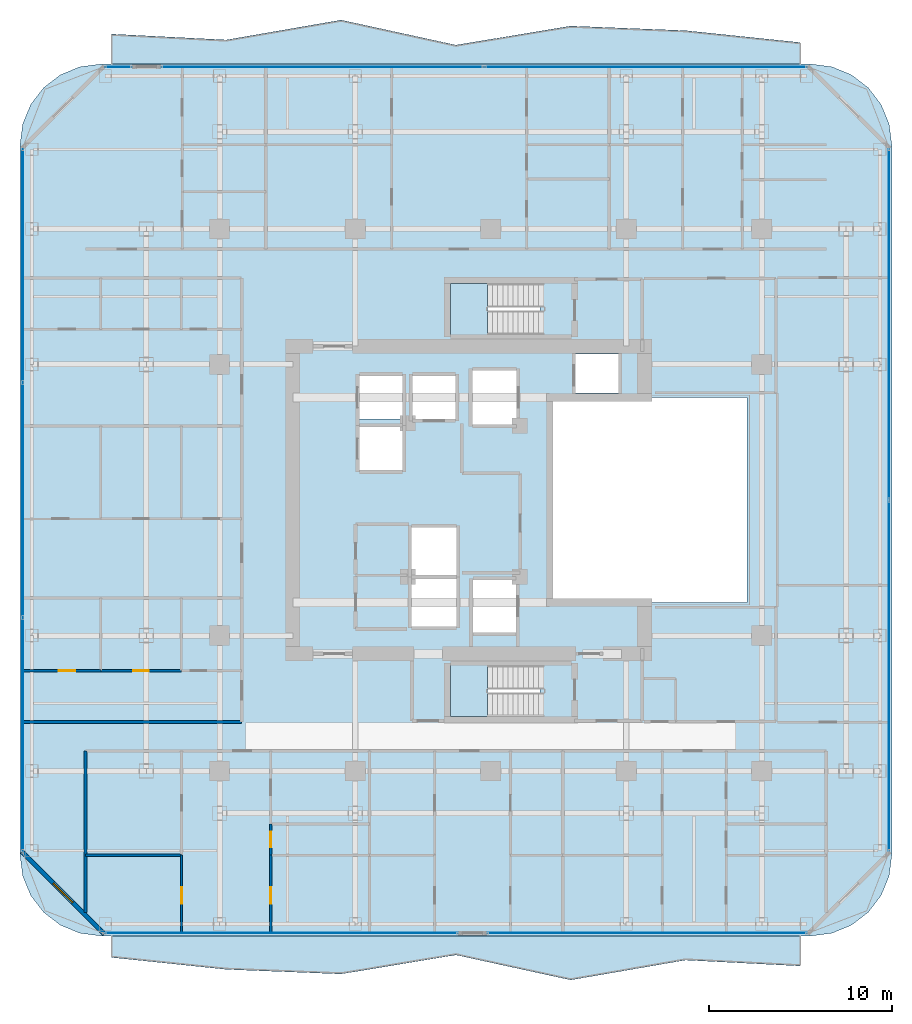
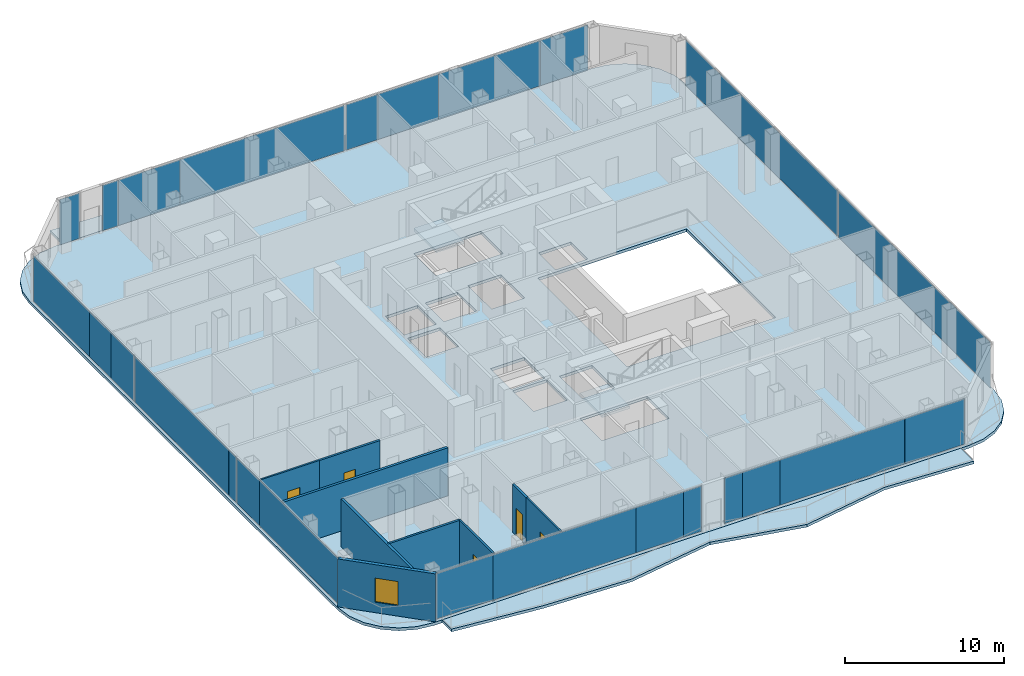
# One storey, part 18 of 26: 25 plates, 9 walls, 5 doors, 5 slabs, 1 window, 6 openings, 8 elements without a shape of their own.
"""IFC4 building model written with IfcOpenShell, lengths in metres."""

from ifc_helpers import new_model, si_unit, direction, frame, frame_2d, origin, origin_2d, place, context, subcontext, project, spatial, polyline, rectangle, outline, extrude, material, layer, layer_set, type_object, element, fill, aggregate, save


model = new_model("IFC4")

# Units and contexts
model_context = context("Model", 3, precision=1e-05, world=origin(), true_north=direction((0.0, 1.0)))
body_context = subcontext(model_context, "Body", "Model", "MODEL_VIEW")
ifc_project = project(units=[si_unit("LENGTHUNIT", "METRE"), si_unit("AREAUNIT", "SQUARE_METRE"), si_unit("VOLUMEUNIT", "CUBIC_METRE"), si_unit("PLANEANGLEUNIT", "RADIAN"), si_unit("MASSUNIT", "GRAM", prefix="KILO")], contexts=[model_context])

# Site, building, storey
site_placement = place(None, origin())
site = spatial("IfcSite", under=ifc_project, at=site_placement, CompositionType="ELEMENT")
building_placement = place(site_placement, origin())
building = spatial("IfcBuilding", under=site, at=building_placement, Name="Khorvyn Point Tower", CompositionType="ELEMENT")
storey_placement = place(building_placement, frame((0.0, 0.0, 183.60009765625)))
storey = spatial("IfcBuildingStorey", under=building, at=storey_placement, Name="L45", CompositionType="ELEMENT", Elevation=183.60009765625)

# Slabs
ifc_material_1 = material(Name="Concrete C35/45", Category="concrete")
ifc_layer_1 = layer(ifc_material_1, 0.219970703125)
ifc_layer_set_1 = layer_set([ifc_layer_1], Name="Concrete C35/45 Structural Floor Slab 220")
slab_type_1 = type_object("IfcSlabType", Name="Concrete C35/45 Structural Floor Slab 220", PredefinedType="FLOOR", material=ifc_layer_set_1)
slab_1_placement = place(storey_placement, frame((0.0, 0.0, -0.22021484375)))
element("IfcSlab", 1, at=slab_1_placement, inside=storey, type_object=slab_type_1, Name="L45 Main Structural Floor Slab", PredefinedType="FLOOR", context=body_context, shape_type="SweptSolid", body=[
    extrude(outline(polyline([(-21.300048828125, -23.800048828125), (-22.438720703125, -23.650146484375), (-23.5, -23.21044921875), (-24.411376953125, -22.51123046875), (-25.110595703125, -21.60009765625), (-25.550048828125, -20.538818359375), (-25.699951171875, -19.39990234375), (-25.699951171875, 19.39990234375), (-25.550048828125, 20.538818359375), (-25.110595703125, 21.60009765625), (-24.411376953125, 22.51123046875), (-23.5, 23.21044921875), (-22.438720703125, 23.650146484375), (-21.300048828125, 23.800048828125), (17.5, 23.800048828125), (18.638916015625, 23.650146484375), (19.699951171875, 23.21044921875), (20.611328125, 22.51123046875), (21.310546875, 21.60009765625), (21.75, 20.538818359375), (21.89990234375, 19.39990234375), (21.89990234375, -19.39990234375), (21.75, -20.538818359375), (21.310546875, -21.60009765625), (20.611328125, -22.51123046875), (19.699951171875, -23.21044921875), (18.638916015625, -23.650146484375), (17.5, -23.800048828125), (-21.300048828125, -23.800048828125)]), holes=[polyline([(-1.875, -6.89990234375), (-1.875, -4.300048828125), (-4.324951171875, -4.300048828125), (-4.324951171875, -6.89990234375), (-1.875, -6.89990234375)]), polyline([(-1.875, -4.10009765625), (-1.875, -1.5), (-4.324951171875, -1.5), (-4.324951171875, -4.10009765625), (-1.875, -4.10009765625)]), polyline([(-4.824951171875, 1.625), (-4.824951171875, 3.97509765625), (-7.175048828125, 3.97509765625), (-7.175048828125, 1.625), (-4.824951171875, 1.625)]), polyline([(-7.175048828125, 4.425048828125), (-4.824951171875, 4.425048828125), (-4.824951171875, 6.77490234375), (-7.175048828125, 6.77490234375), (-7.175048828125, 4.425048828125)]), polyline([(-4.27490234375, 4.425048828125), (-1.925048828125, 4.425048828125), (-1.925048828125, 6.77490234375), (-4.27490234375, 6.77490234375), (-4.27490234375, 4.425048828125)]), polyline([(1.39990234375, 4.125), (1.39990234375, 7.074951171875), (-1.0, 7.074951171875), (-1.0, 4.125), (1.39990234375, 4.125)]), polyline([(-2.199951171875, -11.820068359375), (2.679931640625, -11.820068359375), (2.679931640625, -9.02001953125), (-2.199951171875, -9.02001953125), (-2.199951171875, -11.820068359375)]), polyline([(-0.97509765625, -7.22509765625), (1.375, -7.22509765625), (1.375, -4.375), (-0.97509765625, -4.375), (-0.97509765625, -7.22509765625)]), polyline([(14.0, -5.60009765625), (14.0, 5.60009765625), (3.199951171875, 5.60009765625), (3.199951171875, -5.60009765625), (14.0, -5.60009765625)]), polyline([(4.625, 5.85009765625), (6.97509765625, 5.85009765625), (6.97509765625, 7.97998046875), (4.625, 7.97998046875), (4.625, 5.85009765625)]), polyline([(-2.199951171875, 9.02001953125), (2.679931640625, 9.02001953125), (2.679931640625, 11.820068359375), (-2.199951171875, 11.820068359375), (-2.199951171875, 9.02001953125)])]), origin(), (0.0, 0.0, 1.0), 0.22021484375),
])
ifc_material_2 = material(Name="Concrete C40/50", Category="concrete")
ifc_layer_2 = layer(ifc_material_2, 0.2099609375)
ifc_layer_set_2 = layer_set([ifc_layer_2], Name="Concrete C40/50 Rippling Balcony Slab 210")
slab_type_2 = type_object("IfcSlabType", Name="Concrete C40/50 Rippling Balcony Slab 210", PredefinedType="USERDEFINED", material=ifc_layer_set_2)
slab_2_placement = place(storey_placement, frame((0.0, 0.0, -0.210205078125)))
element("IfcSlab", 2, at=slab_2_placement, inside=storey, type_object=slab_type_2, Name="L45 North Sinusoidal Rippling Balcony", ObjectType="BALCONY", PredefinedType="USERDEFINED", context=body_context, shape_type="SweptSolid", body=[
    extrude(outline(polyline([(16.89990234375, 23.800048828125), (16.89990234375, 24.978759765625), (10.63330078125, 25.630859375), (4.36669921875, 25.8798828125), (-1.89990234375, 24.8408203125), (-8.166748046875, 26.20703125), (-14.433349609375, 25.12255859375), (-20.699951171875, 25.441650390625), (-20.699951171875, 23.800048828125), (16.89990234375, 23.800048828125)])), origin(), (0.0, 0.0, 1.0), 0.210205078125),
])
slab_3_placement = place(storey_placement, frame((0.0, 0.0, -0.210205078125)))
element("IfcSlab", 3, at=slab_3_placement, inside=storey, type_object=slab_type_2, Name="L45 South Sinusoidal Rippling Balcony", ObjectType="BALCONY", PredefinedType="USERDEFINED", context=body_context, shape_type="SweptSolid", body=[
    extrude(outline(polyline([(-20.699951171875, -23.800048828125), (-20.699951171875, -24.978759765625), (-14.433349609375, -25.630859375), (-8.166748046875, -25.8798828125), (-1.89990234375, -24.8408203125), (4.36669921875, -26.20703125), (10.63330078125, -25.12255859375), (16.89990234375, -25.441650390625), (16.89990234375, -23.800048828125), (-20.699951171875, -23.800048828125)])), origin(), (0.0, 0.0, 1.0), 0.210205078125),
])

# Stair, slab
stair_type = type_object("IfcStairType", Name="Tower Concrete C40/50 Dogleg Exit Stair", PredefinedType="HALF_TURN_STAIR", material=ifc_material_2)
stair_1_placement = place(storey_placement, origin())
stair_1 = element("IfcStair", 4, at=stair_1_placement, inside=storey, type_object=stair_type, Name="L45 Tower Smokeproof Exit Stair South", PredefinedType="HALF_TURN_STAIR")
ifc_layer_3 = layer(ifc_material_2, 0.199951171875)
ifc_layer_set_3 = layer_set([ifc_layer_3], Name="Concrete C40/50 Stair Landing Slab 200")
slab_type_3 = type_object("IfcSlabType", Name="Concrete C40/50 Stair Landing Slab 200", PredefinedType="LANDING", material=ifc_layer_set_3)
slab_4_placement = place(storey_placement, frame((0.0, 0.0, 1.75)))
slab_4 = element("IfcSlab", 5, at=slab_4_placement, type_object=slab_type_3, Name="ST-01 landing 1", PredefinedType="LANDING", context=body_context, shape_type="SweptSolid", body=[
    extrude(outline(polyline([(-0.179931640625, -9.02001953125), (-2.199951171875, -9.02001953125), (-2.199951171875, -11.820068359375), (-0.179931640625, -11.820068359375), (-0.179931640625, -9.02001953125)])), origin(), (0.0, 0.0, 1.0), 0.199951171875),
])
aggregate(stair_1, [slab_4])

stair_2_placement = place(storey_placement, origin())
stair_2 = element("IfcStair", 6, at=stair_2_placement, inside=storey, type_object=stair_type, Name="L45 Tower Smokeproof Exit Stair North", PredefinedType="HALF_TURN_STAIR")
slab_5_placement = place(storey_placement, frame((0.0, 0.0, 1.75)))
slab_5 = element("IfcSlab", 7, at=slab_5_placement, type_object=slab_type_3, Name="ST-02 landing 1", PredefinedType="LANDING", context=body_context, shape_type="SweptSolid", body=[
    extrude(outline(polyline([(-0.179931640625, 11.820068359375), (-2.199951171875, 11.820068359375), (-2.199951171875, 9.02001953125), (-0.179931640625, 9.02001953125), (-0.179931640625, 11.820068359375)])), origin(), (0.0, 0.0, 1.0), 0.199951171875),
])
aggregate(stair_2, [slab_5])

# Curtain wall, plates
ifc_material_3 = material(Name="Anodised aluminium 6063-T6 and laminated Low-E glass", Category="aluminium")
ifc_layer_4 = layer(ifc_material_3, 0.18994140625)
ifc_layer_set_4 = layer_set([ifc_layer_4], Name="Stick-Built Acoustic Curtain Wall CW-SYS-03")
curtain_wall_type = type_object("IfcCurtainWallType", Name="Stick-Built Acoustic Curtain Wall CW-SYS-03", PredefinedType="NOTDEFINED", material=ifc_layer_set_4)
curtain_wall_1_placement = place(storey_placement, origin())
curtain_wall_1 = element("IfcCurtainWall", 8, at=curtain_wall_1_placement, inside=storey, type_object=curtain_wall_type, Name="Curtain Wall", PredefinedType="NOTDEFINED")
ifc_material_4 = material(Name="Laminated Low-E insulated glass", Category="glass")
ifc_layer_5 = layer(ifc_material_4, 0.028076171875)
ifc_layer_set_5 = layer_set([ifc_layer_5], Name="Tempered Low-E Vision Glazing Panel CW-GL28")
plate_type = type_object("IfcPlateType", Name="Tempered Low-E Vision Glazing Panel CW-GL28", PredefinedType="CURTAIN_PANEL", material=ifc_layer_set_5)
plate_1_placement = place(storey_placement, frame((0.487060546875, -23.64990234375, 0.099853515625), z_axis=(0.0, 0.0, 1.0), x_axis=(-1.0, 0.0, 0.0)))
plate_1 = element("IfcPlate", 9, at=plate_1_placement, type_object=plate_type, Name="Panel", PredefinedType="CURTAIN_PANEL", context=body_context, shape_type="SweptSolid", body=[
    extrude(rectangle(XDim=1.298095703125, YDim=0.028076171875, at=origin_2d()), origin(), (0.0, 0.0, 1.0), 3.47998046875),
])
plate_2_placement = place(storey_placement, frame((2.5048828125, -23.64990234375, 0.099853515625), z_axis=(0.0, 0.0, 1.0), x_axis=(-1.0, 0.0, 0.0)))
plate_2 = element("IfcPlate", 10, at=plate_2_placement, type_object=plate_type, Name="Panel", PredefinedType="CURTAIN_PANEL", context=body_context, shape_type="SweptSolid", body=[
    extrude(rectangle(XDim=2.721923828125, YDim=0.028076171875, at=origin_2d()), origin(), (0.0, 0.0, 1.0), 3.47998046875),
])
plate_3_placement = place(storey_placement, frame((8.39453125, -23.64990234375, 0.099853515625), z_axis=(0.0, 0.0, 1.0), x_axis=(-1.0, 0.0, 0.0)))
plate_3 = element("IfcPlate", 11, at=plate_3_placement, type_object=plate_type, Name="Panel", PredefinedType="CURTAIN_PANEL", context=body_context, shape_type="SweptSolid", body=[
    extrude(rectangle(XDim=9.041015625, YDim=0.028076171875, at=origin_2d()), origin(), (0.0, 0.0, 1.0), 3.47998046875),
])
plate_4_placement = place(storey_placement, frame((15.08447265625, -23.64990234375, 0.099853515625), z_axis=(0.0, 0.0, 1.0), x_axis=(-1.0, 0.0, 0.0)))
plate_4 = element("IfcPlate", 12, at=plate_4_placement, type_object=plate_type, Name="Panel", PredefinedType="CURTAIN_PANEL", context=body_context, shape_type="SweptSolid", body=[
    extrude(rectangle(XDim=4.322998046875, YDim=0.028076171875, at=origin_2d()), origin(), (0.0, 0.0, 1.0), 3.47998046875),
])
aggregate(curtain_wall_1, [plate_1, plate_2, plate_3, plate_4])

curtain_wall_2_placement = place(storey_placement, origin())
curtain_wall_2 = element("IfcCurtainWall", 13, at=curtain_wall_2_placement, inside=storey, type_object=curtain_wall_type, Name="Curtain Wall", PredefinedType="NOTDEFINED")
plate_5_placement = place(storey_placement, frame((-18.992919921875, -23.64990234375, 0.099853515625), z_axis=(0.0, 0.0, 1.0), x_axis=(-1.0, 0.0, 0.0)))
plate_5 = element("IfcPlate", 14, at=plate_5_placement, type_object=plate_type, Name="Panel", PredefinedType="CURTAIN_PANEL", context=body_context, shape_type="SweptSolid", body=[
    extrude(rectangle(XDim=4.10595703125, YDim=0.028076171875, at=origin_2d()), origin(), (0.0, 0.0, 1.0), 3.47998046875),
])
plate_6_placement = place(storey_placement, frame((-11.7470703125, -23.64990234375, 0.099853515625), z_axis=(0.0, 0.0, 1.0), x_axis=(-1.0, 0.0, 0.0)))
plate_6 = element("IfcPlate", 15, at=plate_6_placement, type_object=plate_type, Name="Panel", PredefinedType="CURTAIN_PANEL", context=body_context, shape_type="SweptSolid", body=[
    extrude(rectangle(XDim=10.3701171875, YDim=0.028076171875, at=origin_2d()), origin(), (0.0, 0.0, 1.0), 3.47998046875),
])
plate_7_placement = place(storey_placement, frame((-4.83544921875, -23.64990234375, 0.099853515625), z_axis=(0.0, 0.0, 1.0), x_axis=(-1.0, 0.0, 0.0)))
plate_7 = element("IfcPlate", 16, at=plate_7_placement, type_object=plate_type, Name="Panel", PredefinedType="CURTAIN_PANEL", context=body_context, shape_type="SweptSolid", body=[
    extrude(rectangle(XDim=3.43701171875, YDim=0.028076171875, at=origin_2d()), origin(), (0.0, 0.0, 1.0), 3.47998046875),
])
plate_8_placement = place(storey_placement, frame((-2.45947265625, -23.64990234375, 0.099853515625), z_axis=(0.0, 0.0, 1.0), x_axis=(-1.0, 0.0, 0.0)))
plate_8 = element("IfcPlate", 17, at=plate_8_placement, type_object=plate_type, Name="Panel", PredefinedType="CURTAIN_PANEL", context=body_context, shape_type="SweptSolid", body=[
    extrude(rectangle(XDim=1.299072265625, YDim=0.028076171875, at=origin_2d()), origin(), (0.0, 0.0, 1.0), 3.47998046875),
])
aggregate(curtain_wall_2, [plate_5, plate_6, plate_7, plate_8])

# Curtain wall, plate
curtain_wall_3_placement = place(storey_placement, origin())
curtain_wall_3 = element("IfcCurtainWall", 18, at=curtain_wall_3_placement, inside=storey, type_object=curtain_wall_type, Name="Curtain Wall", PredefinedType="NOTDEFINED")
plate_9_placement = place(storey_placement, frame((-20.3291015625, 23.64990234375, 0.099853515625), z_axis=(0.0, 0.0, 1.0), x_axis=(1.0, 0.0, 0.0)))
plate_9 = element("IfcPlate", 19, at=plate_9_placement, type_object=plate_type, Name="Panel", PredefinedType="CURTAIN_PANEL", context=body_context, shape_type="SweptSolid", body=[
    extrude(rectangle(XDim=1.44189453125, YDim=0.028076171875, at=origin_2d()), origin(), (0.0, 0.0, 1.0), 3.47998046875),
])
aggregate(curtain_wall_3, [plate_9])

# Curtain wall, plates
curtain_wall_4_placement = place(storey_placement, origin())
curtain_wall_4 = element("IfcCurtainWall", 20, at=curtain_wall_4_placement, inside=storey, type_object=curtain_wall_type, Name="Curtain Wall", PredefinedType="NOTDEFINED")
plate_10_placement = place(storey_placement, frame((-17.37646484375, 23.64990234375, 0.099853515625), z_axis=(0.0, 0.0, 1.0), x_axis=(1.0, 0.0, 0.0)))
plate_10 = element("IfcPlate", 21, at=plate_10_placement, type_object=plate_type, Name="Panel", PredefinedType="CURTAIN_PANEL", context=body_context, shape_type="SweptSolid", body=[
    extrude(rectangle(XDim=1.175048828125, YDim=0.028076171875, at=origin_2d()), origin(), (0.0, 0.0, 1.0), 3.47998046875),
])
plate_11_placement = place(storey_placement, frame((-14.5625, 23.64990234375, 0.099853515625), z_axis=(0.0, 0.0, 1.0), x_axis=(1.0, 0.0, 0.0)))
plate_11 = element("IfcPlate", 22, at=plate_11_placement, type_object=plate_type, Name="Panel", PredefinedType="CURTAIN_PANEL", context=body_context, shape_type="SweptSolid", body=[
    extrude(rectangle(XDim=4.43701171875, YDim=0.028076171875, at=origin_2d()), origin(), (0.0, 0.0, 1.0), 3.47998046875),
])
plate_12_placement = place(storey_placement, frame((-6.37451171875, 23.64990234375, 0.099853515625), z_axis=(0.0, 0.0, 1.0), x_axis=(1.0, 0.0, 0.0)))
plate_12 = element("IfcPlate", 23, at=plate_12_placement, type_object=plate_type, Name="Panel", PredefinedType="CURTAIN_PANEL", context=body_context, shape_type="SweptSolid", body=[
    extrude(rectangle(XDim=11.923095703125, YDim=0.028076171875, at=origin_2d()), origin(), (0.0, 0.0, 1.0), 3.47998046875),
])
plate_13_placement = place(storey_placement, frame((0.861572265625, 23.64990234375, 0.099853515625), z_axis=(0.0, 0.0, 1.0), x_axis=(1.0, 0.0, 0.0)))
plate_13 = element("IfcPlate", 24, at=plate_13_placement, type_object=plate_type, Name="Panel", PredefinedType="CURTAIN_PANEL", context=body_context, shape_type="SweptSolid", body=[
    extrude(rectangle(XDim=2.3330078125, YDim=0.028076171875, at=origin_2d()), origin(), (0.0, 0.0, 1.0), 3.47998046875),
])
plate_14_placement = place(storey_placement, frame((4.22509765625, 23.64990234375, 0.099853515625), z_axis=(0.0, 0.0, 1.0), x_axis=(1.0, 0.0, 0.0)))
plate_14 = element("IfcPlate", 25, at=plate_14_placement, type_object=plate_type, Name="Panel", PredefinedType="CURTAIN_PANEL", context=body_context, shape_type="SweptSolid", body=[
    extrude(rectangle(XDim=4.3779296875, YDim=0.028076171875, at=origin_2d()), origin(), (0.0, 0.0, 1.0), 3.47998046875),
])
plate_15_placement = place(storey_placement, frame((10.1044921875, 23.64990234375, 0.099853515625), z_axis=(0.0, 0.0, 1.0), x_axis=(1.0, 0.0, 0.0)))
plate_15 = element("IfcPlate", 26, at=plate_15_placement, type_object=plate_type, Name="Panel", PredefinedType="CURTAIN_PANEL", context=body_context, shape_type="SweptSolid", body=[
    extrude(rectangle(XDim=7.364990234375, YDim=0.028076171875, at=origin_2d()), origin(), (0.0, 0.0, 1.0), 3.47998046875),
])
plate_16_placement = place(storey_placement, frame((15.5205078125, 23.64990234375, 0.099853515625), z_axis=(0.0, 0.0, 1.0), x_axis=(1.0, 0.0, 0.0)))
plate_16 = element("IfcPlate", 27, at=plate_16_placement, type_object=plate_type, Name="Panel", PredefinedType="CURTAIN_PANEL", context=body_context, shape_type="SweptSolid", body=[
    extrude(rectangle(XDim=3.450927734375, YDim=0.028076171875, at=origin_2d()), origin(), (0.0, 0.0, 1.0), 3.47998046875),
])
aggregate(curtain_wall_4, [plate_10, plate_11, plate_12, plate_13, plate_14, plate_15, plate_16])

curtain_wall_5_placement = place(storey_placement, origin())
curtain_wall_5 = element("IfcCurtainWall", 28, at=curtain_wall_5_placement, inside=storey, type_object=curtain_wall_type, Name="Curtain Wall", PredefinedType="NOTDEFINED")
plate_17_placement = place(storey_placement, frame((-25.550048828125, -14.205078125, 0.099853515625), z_axis=(0.0, 0.0, 1.0), x_axis=(0.0, 1.0, 0.0)))
plate_17 = element("IfcPlate", 29, at=plate_17_placement, type_object=plate_type, Name="Panel", PredefinedType="CURTAIN_PANEL", context=body_context, shape_type="SweptSolid", body=[
    extrude(rectangle(XDim=9.882080078125, YDim=0.028076171875, at=origin_2d()), origin(), (0.0, 0.0, 1.0), 3.47998046875),
])
plate_18_placement = place(storey_placement, frame((-25.550048828125, -7.86328125, 0.099853515625), z_axis=(0.0, 0.0, 1.0), x_axis=(0.0, 1.0, 0.0)))
plate_18 = element("IfcPlate", 30, at=plate_18_placement, type_object=plate_type, Name="Panel", PredefinedType="CURTAIN_PANEL", context=body_context, shape_type="SweptSolid", body=[
    extrude(rectangle(XDim=2.785400390625, YDim=0.028076171875, at=origin_2d()), origin(), (0.0, 0.0, 1.0), 3.47998046875),
])
plate_19_placement = place(storey_placement, frame((-25.550048828125, -5.8876953125, 0.099853515625), z_axis=(0.0, 0.0, 1.0), x_axis=(0.0, 1.0, 0.0)))
plate_19 = element("IfcPlate", 31, at=plate_19_placement, type_object=plate_type, Name="Panel", PredefinedType="CURTAIN_PANEL", context=body_context, shape_type="SweptSolid", body=[
    extrude(rectangle(XDim=0.94970703125, YDim=0.028076171875, at=origin_2d()), origin(), (0.0, 0.0, 1.0), 3.47998046875),
])
plate_20_placement = place(storey_placement, frame((-25.550048828125, 0.478759765625, 0.099853515625), z_axis=(0.0, 0.0, 1.0), x_axis=(0.0, 1.0, 0.0)))
plate_20 = element("IfcPlate", 32, at=plate_20_placement, type_object=plate_type, Name="Panel", PredefinedType="CURTAIN_PANEL", context=body_context, shape_type="SweptSolid", body=[
    extrude(rectangle(XDim=11.767578125, YDim=0.028076171875, at=origin_2d()), origin(), (0.0, 0.0, 1.0), 3.47998046875),
])
plate_21_placement = place(storey_placement, frame((-25.550048828125, 7.92333984375, 0.099853515625), z_axis=(0.0, 0.0, 1.0), x_axis=(0.0, 1.0, 0.0)))
plate_21 = element("IfcPlate", 33, at=plate_21_placement, type_object=plate_type, Name="Panel", PredefinedType="CURTAIN_PANEL", context=body_context, shape_type="SweptSolid", body=[
    extrude(rectangle(XDim=2.9052734375, YDim=0.028076171875, at=origin_2d()), origin(), (0.0, 0.0, 1.0), 3.47998046875),
])
plate_22_placement = place(storey_placement, frame((-25.550048828125, 10.719970703125, 0.099853515625), z_axis=(0.0, 0.0, 1.0), x_axis=(0.0, 1.0, 0.0)))
plate_22 = element("IfcPlate", 34, at=plate_22_placement, type_object=plate_type, Name="Panel", PredefinedType="CURTAIN_PANEL", context=body_context, shape_type="SweptSolid", body=[
    extrude(rectangle(XDim=2.672119140625, YDim=0.028076171875, at=origin_2d()), origin(), (0.0, 0.0, 1.0), 3.47998046875),
])
plate_23_placement = place(storey_placement, frame((-25.550048828125, 15.60498046875, 0.099853515625), z_axis=(0.0, 0.0, 1.0), x_axis=(0.0, 1.0, 0.0)))
plate_23 = element("IfcPlate", 35, at=plate_23_placement, type_object=plate_type, Name="Panel", PredefinedType="CURTAIN_PANEL", context=body_context, shape_type="SweptSolid", body=[
    extrude(rectangle(XDim=7.08203125, YDim=0.028076171875, at=origin_2d()), origin(), (0.0, 0.0, 1.0), 3.47998046875),
])
aggregate(curtain_wall_5, [plate_17, plate_18, plate_19, plate_20, plate_21, plate_22, plate_23])

curtain_wall_6_placement = place(storey_placement, origin())
curtain_wall_6 = element("IfcCurtainWall", 36, at=curtain_wall_6_placement, inside=storey, type_object=curtain_wall_type, Name="Curtain Wall", PredefinedType="NOTDEFINED")
plate_24_placement = place(storey_placement, frame((21.75, 9.60009765625, 0.099853515625), z_axis=(0.0, 0.0, 1.0), x_axis=(0.0, -1.0, 0.0)))
plate_24 = element("IfcPlate", 37, at=plate_24_placement, type_object=plate_type, Name="Panel", PredefinedType="CURTAIN_PANEL", context=body_context, shape_type="SweptSolid", body=[
    extrude(rectangle(XDim=19.10009765625, YDim=0.028076171875, at=origin_2d()), origin(), (0.0, 0.0, 1.0), 3.47998046875),
])
plate_25_placement = place(storey_placement, frame((21.75, -9.60009765625, 0.099853515625), z_axis=(0.0, 0.0, 1.0), x_axis=(0.0, -1.0, 0.0)))
plate_25 = element("IfcPlate", 38, at=plate_25_placement, type_object=plate_type, Name="Panel", PredefinedType="CURTAIN_PANEL", context=body_context, shape_type="SweptSolid", body=[
    extrude(rectangle(XDim=19.10009765625, YDim=0.028076171875, at=origin_2d()), origin(), (0.0, 0.0, 1.0), 3.47998046875),
])
aggregate(curtain_wall_6, [plate_24, plate_25])

# Walls
ifc_material_5 = material(Name="Double acoustic gypsum on twin steel stud", Category="steel")
ifc_layer_6 = layer(ifc_material_5, 0.179931640625)
ifc_layer_set_6 = layer_set([ifc_layer_6], Name="Acoustic Double-Stud Apartment Demising Wall 180")
wall_type_1 = type_object("IfcWallType", Name="Acoustic Double-Stud Apartment Demising Wall 180", PredefinedType="PARTITIONING", material=ifc_layer_set_6)
wall_1_placement = place(storey_placement, frame((-22.1201171875, -22.510009765625, 0.0), z_axis=(0.0, 0.0, 1.0), x_axis=(0.0, 1.0, 0.0)))
element("IfcWall", 39, at=wall_1_placement, inside=storey, type_object=wall_type_1, Name="Wall", PredefinedType="PARTITIONING", context=body_context, shape_type="SweptSolid", body=[
    extrude(rectangle(XDim=8.81005859375, YDim=0.179931640625, at=frame_2d((4.405029296875, 0.0))), origin(), (0.0, 0.0, 1.0), 3.679931640625),
])
wall_2_placement = place(storey_placement, frame((-25.530029296875, -12.1201171875, 0.0), z_axis=(0.0, 0.0, 1.0), x_axis=(1.0, 0.0, 0.0)))
element("IfcWall", 40, at=wall_2_placement, inside=storey, type_object=wall_type_1, Name="Wall", PredefinedType="PARTITIONING", context=body_context, shape_type="SweptSolid", body=[
    extrude(rectangle(XDim=11.929931640625, YDim=0.179931640625, at=frame_2d((5.96484375, 0.0))), origin(), (0.0, 0.0, 1.0), 3.679931640625),
])

# Wall, opening, window
ifc_material_6 = material(Name="Pale anodised aluminium rainscreen on steel stud", Category="steel")
ifc_layer_7 = layer(ifc_material_6, 0.239990234375)
ifc_layer_set_7 = layer_set([ifc_layer_7], Name="Anodised Aluminium Insulated Corner Spandrel Wall 240")
wall_type_2 = type_object("IfcWallType", Name="Anodised Aluminium Insulated Corner Spandrel Wall 240", PredefinedType="SOLIDWALL", material=ifc_layer_set_7)
wall_3_placement = place(storey_placement, frame((-21.107666015625, -23.6923828125, 0.0), z_axis=(0.0, 0.0, 1.0), x_axis=(-0.707087534163, 0.707126027686, 0.0)))
wall_3 = element("IfcWall", 41, at=wall_3_placement, inside=storey, type_object=wall_type_2, Name="L45 Rounded Corner Wall SW", PredefinedType="SOLIDWALL", context=body_context, shape_type="SweptSolid", body=[
    extrude(rectangle(XDim=6.34228515625, YDim=0.239990234375, at=frame_2d((3.171142578125, 0.0))), origin(), (0.0, 0.0, 1.0), 3.679931640625),
])
opening_1_placement = place(wall_3_placement, frame((2.42138671875, 0.0, 0.800048828125)))
opening_1 = element("IfcOpeningElement", 42, at=opening_1_placement, cuts=wall_3, Name="Opening WN-1518", PredefinedType="OPENING", context=body_context, shape_type="SweptSolid", body=[
    extrude(rectangle(XDim=1.5, YDim=1.85009765625, at=frame_2d((0.75, 0.925048828125))), frame((0.0, 0.1298828125, 0.0), z_axis=(0.0, -1.0, 0.0), x_axis=(1.0, 0.0, 0.0)), (0.0, 0.0, 1.0), 0.260009765625),
])
window_type = type_object("IfcWindowType", Name="Anodised Aluminium Rounded-Corner Panoramic Window 1500x1850", PartitioningType="SINGLE_PANEL", PredefinedType="WINDOW", material=ifc_material_3)
window_placement = place(opening_1_placement, origin())
window = element("IfcWindow", 43, at=window_placement, inside=storey, type_object=window_type, Name="L45 Corner Panoramic Window SW", OverallHeight=1.85009765625, OverallWidth=1.5, PartitioningType="SINGLE_PANEL", PredefinedType="WINDOW", context=body_context, shape_type="SweptSolid", body=[
    extrude(rectangle(XDim=1.5, YDim=1.85009765625, at=frame_2d((0.75, 0.925048828125))), frame((0.0, 0.030029296875, 0.0), z_axis=(0.0, -1.0, 0.0), x_axis=(1.0, 0.0, 0.0)), (0.0, 0.0, 1.0), 0.06005859375),
])
fill(opening_1, window)

# Wall, opening, door
ifc_material_7 = material(Name="Gypsum plasterboard on steel stud", Category="steel")
ifc_layer_8 = layer(ifc_material_7, 0.1201171875)
ifc_layer_set_8 = layer_set([ifc_layer_8], Name="Gypsum Acoustic Stud Room Partition Wall 120")
wall_type_3 = type_object("IfcWallType", Name="Gypsum Acoustic Stud Room Partition Wall 120", PredefinedType="PARTITIONING", material=ifc_layer_set_8)
wall_4_placement = place(storey_placement, frame((-16.8759765625, -23.6298828125, 0.0), z_axis=(0.0, 0.0, 1.0), x_axis=(0.0, 1.0, 0.0)))
wall_4 = element("IfcWall", 44, at=wall_4_placement, inside=storey, type_object=wall_type_3, Name="Wall", PredefinedType="PARTITIONING", context=body_context, shape_type="SweptSolid", body=[
    extrude(rectangle(XDim=4.239990234375, YDim=0.1201171875, at=frame_2d((2.1201171875, 0.0))), origin(), (0.0, 0.0, 1.0), 3.679931640625),
])
opening_2_placement = place(wall_4_placement, frame((1.581298828125, 0.0, 0.0)))
opening_2 = element("IfcOpeningElement", 45, at=opening_2_placement, cuts=wall_4, Name="Opening ID-RM90", PredefinedType="OPENING", context=body_context, shape_type="SweptSolid", body=[
    extrude(rectangle(XDim=0.89990234375, YDim=2.10009765625, at=frame_2d((0.449951171875, 1.050048828125))), frame((0.0, 0.070068359375, 0.0), z_axis=(0.0, -1.0, 0.0), x_axis=(1.0, 0.0, 0.0)), (0.0, 0.0, 1.0), 0.14013671875),
])
ifc_material_8 = material(Name="Engineered oak veneer timber", Category="wood")
door_type_1 = type_object("IfcDoorType", Name="Flush Engineered Timber Room Door 900x2100", OperationType="NOTDEFINED", PredefinedType="DOOR", material=ifc_material_8)
door_1_placement = place(opening_2_placement, origin())
door_1 = element("IfcDoor", 46, at=door_1_placement, inside=storey, type_object=door_type_1, Name="Door", OperationType="SINGLE_SWING_LEFT", OverallHeight=2.10009765625, OverallWidth=0.89990234375, PredefinedType="DOOR", context=body_context, shape_type="SweptSolid", body=[
    extrude(rectangle(XDim=0.89990234375, YDim=2.10009765625, at=frame_2d((0.449951171875, 1.050048828125))), frame((0.0, 0.02490234375, 0.0), z_axis=(0.0, -1.0, 0.0), x_axis=(1.0, 0.0, 0.0)), (0.0, 0.0, 1.0), 0.050048828125),
])
fill(opening_2, door_1)

wall_5_placement = place(storey_placement, frame((-12.009033203125, -23.6298828125, 0.0), z_axis=(0.0, 0.0, 1.0), x_axis=(0.0, 1.0, 0.0)))
wall_5 = element("IfcWall", 47, at=wall_5_placement, inside=storey, type_object=wall_type_3, Name="Wall", PredefinedType="PARTITIONING", context=body_context, shape_type="SweptSolid", body=[
    extrude(rectangle(XDim=4.239990234375, YDim=0.1201171875, at=frame_2d((2.1201171875, 0.0))), origin(), (0.0, 0.0, 1.0), 3.679931640625),
])
opening_3_placement = place(wall_5_placement, frame((1.581298828125, 0.0, 0.0)))
opening_3 = element("IfcOpeningElement", 48, at=opening_3_placement, cuts=wall_5, Name="Opening ID-RM90", PredefinedType="OPENING", context=body_context, shape_type="SweptSolid", body=[
    extrude(rectangle(XDim=0.89990234375, YDim=2.10009765625, at=frame_2d((0.449951171875, 1.050048828125))), frame((0.0, 0.070068359375, 0.0), z_axis=(0.0, -1.0, 0.0), x_axis=(1.0, 0.0, 0.0)), (0.0, 0.0, 1.0), 0.14013671875),
])
door_2_placement = place(opening_3_placement, origin())
door_2 = element("IfcDoor", 49, at=door_2_placement, inside=storey, type_object=door_type_1, Name="Door", OperationType="SINGLE_SWING_RIGHT", OverallHeight=2.10009765625, OverallWidth=0.89990234375, PredefinedType="DOOR", context=body_context, shape_type="SweptSolid", body=[
    extrude(rectangle(XDim=0.89990234375, YDim=2.10009765625, at=frame_2d((0.449951171875, 1.050048828125))), frame((0.0, 0.02490234375, 0.0), z_axis=(0.0, -1.0, 0.0), x_axis=(1.0, 0.0, 0.0)), (0.0, 0.0, 1.0), 0.050048828125),
])
fill(opening_3, door_2)

wall_6_placement = place(storey_placement, frame((-25.530029296875, -9.320068359375, 0.0), z_axis=(0.0, 0.0, 1.0), x_axis=(1.0, 0.0, 0.0)))
wall_6 = element("IfcWall", 50, at=wall_6_placement, inside=storey, type_object=wall_type_3, Name="Wall", PredefinedType="PARTITIONING", context=body_context, shape_type="SweptSolid", body=[
    extrude(rectangle(XDim=4.239990234375, YDim=0.1201171875, at=frame_2d((2.1201171875, 0.0))), origin(), (0.0, 0.0, 1.0), 3.679931640625),
])
opening_4_placement = place(wall_6_placement, frame((1.9365234375, 0.0, 0.0)))
opening_4 = element("IfcOpeningElement", 51, at=opening_4_placement, cuts=wall_6, Name="Opening ID-RM90", PredefinedType="OPENING", context=body_context, shape_type="SweptSolid", body=[
    extrude(rectangle(XDim=0.89990234375, YDim=2.10009765625, at=frame_2d((0.449951171875, 1.050048828125))), frame((0.0, 0.070068359375, 0.0), z_axis=(0.0, -1.0, 0.0), x_axis=(1.0, 0.0, 0.0)), (0.0, 0.0, 1.0), 0.14013671875),
])
door_3_placement = place(opening_4_placement, origin())
door_3 = element("IfcDoor", 52, at=door_3_placement, inside=storey, type_object=door_type_1, Name="Door", OperationType="SINGLE_SWING_LEFT", OverallHeight=2.10009765625, OverallWidth=0.89990234375, PredefinedType="DOOR", context=body_context, shape_type="SweptSolid", body=[
    extrude(rectangle(XDim=0.89990234375, YDim=2.10009765625, at=frame_2d((0.449951171875, 1.050048828125))), frame((0.0, 0.02490234375, 0.0), z_axis=(0.0, -1.0, 0.0), x_axis=(1.0, 0.0, 0.0)), (0.0, 0.0, 1.0), 0.050048828125),
])
fill(opening_4, door_3)

ifc_material_9 = material(Name="Moisture-resistant gypsum and cement board", Category="gypsum")
ifc_layer_9 = layer(ifc_material_9, 0.14990234375)
ifc_layer_set_9 = layer_set([ifc_layer_9], Name="Moisture-Resistant Wet-Room Partition Wall 150")
wall_type_4 = type_object("IfcWallType", Name="Moisture-Resistant Wet-Room Partition Wall 150", PredefinedType="PARTITIONING", material=ifc_layer_set_9)
wall_7_placement = place(storey_placement, frame((-12.009033203125, -19.389892578125, 0.0), z_axis=(0.0, 0.0, 1.0), x_axis=(0.0, 1.0, 0.0)))
wall_7 = element("IfcWall", 53, at=wall_7_placement, inside=storey, type_object=wall_type_4, Name="Wall", PredefinedType="PARTITIONING", context=body_context, shape_type="SweptSolid", body=[
    extrude(rectangle(XDim=1.706787109375, YDim=0.14990234375, at=frame_2d((0.853515625, 0.0))), origin(), (0.0, 0.0, 1.0), 3.679931640625),
])
opening_5_placement = place(wall_7_placement, frame((0.428466796875, 0.0, 0.0)))
opening_5 = element("IfcOpeningElement", 54, at=opening_5_placement, cuts=wall_7, Name="Opening ID-WC85", PredefinedType="OPENING", context=body_context, shape_type="SweptSolid", body=[
    extrude(rectangle(XDim=0.85009765625, YDim=2.10009765625, at=frame_2d((0.425048828125, 1.050048828125))), frame((0.0, 0.0849609375, 0.0), z_axis=(0.0, -1.0, 0.0), x_axis=(1.0, 0.0, 0.0)), (0.0, 0.0, 1.0), 0.169921875),
])
ifc_material_10 = material(Name="High-pressure laminate on moisture-resistant core", Category="wood")
door_type_2 = type_object("IfcDoorType", Name="Moisture-Resistant Accessible Washroom Door 850x2100", OperationType="NOTDEFINED", PredefinedType="DOOR", material=ifc_material_10)
door_4_placement = place(opening_5_placement, origin())
door_4 = element("IfcDoor", 55, at=door_4_placement, inside=storey, type_object=door_type_2, Name="Door", OperationType="SINGLE_SWING_RIGHT", OverallHeight=2.10009765625, OverallWidth=0.85009765625, PredefinedType="DOOR", context=body_context, shape_type="SweptSolid", body=[
    extrude(rectangle(XDim=0.85009765625, YDim=2.10009765625, at=frame_2d((0.425048828125, 1.050048828125))), frame((0.0, 0.02490234375, 0.0), z_axis=(0.0, -1.0, 0.0), x_axis=(1.0, 0.0, 0.0)), (0.0, 0.0, 1.0), 0.050048828125),
])
fill(opening_5, door_4)

wall_8_placement = place(storey_placement, frame((-21.2900390625, -9.320068359375, 0.0), z_axis=(0.0, 0.0, 1.0), x_axis=(1.0, 0.0, 0.0)))
wall_8 = element("IfcWall", 56, at=wall_8_placement, inside=storey, type_object=wall_type_4, Name="Wall", PredefinedType="PARTITIONING", context=body_context, shape_type="SweptSolid", body=[
    extrude(rectangle(XDim=4.39697265625, YDim=0.14990234375, at=frame_2d((2.198486328125, 0.0))), origin(), (0.0, 0.0, 1.0), 3.679931640625),
])
opening_6_placement = place(wall_8_placement, frame((1.7734375, 0.0, 0.0)))
opening_6 = element("IfcOpeningElement", 57, at=opening_6_placement, cuts=wall_8, Name="Opening ID-WC85", PredefinedType="OPENING", context=body_context, shape_type="SweptSolid", body=[
    extrude(rectangle(XDim=0.85009765625, YDim=2.10009765625, at=frame_2d((0.425048828125, 1.050048828125))), frame((0.0, 0.0849609375, 0.0), z_axis=(0.0, -1.0, 0.0), x_axis=(1.0, 0.0, 0.0)), (0.0, 0.0, 1.0), 0.169921875),
])
door_5_placement = place(opening_6_placement, origin())
door_5 = element("IfcDoor", 58, at=door_5_placement, inside=storey, type_object=door_type_2, Name="Door", OperationType="SINGLE_SWING_LEFT", OverallHeight=2.10009765625, OverallWidth=0.85009765625, PredefinedType="DOOR", context=body_context, shape_type="SweptSolid", body=[
    extrude(rectangle(XDim=0.85009765625, YDim=2.10009765625, at=frame_2d((0.425048828125, 1.050048828125))), frame((0.0, 0.02490234375, 0.0), z_axis=(0.0, -1.0, 0.0), x_axis=(1.0, 0.0, 0.0)), (0.0, 0.0, 1.0), 0.050048828125),
])
fill(opening_6, door_5)

# Wall
wall_9_placement = place(storey_placement, frame((-22.1201171875, -19.389892578125, 0.0), z_axis=(0.0, 0.0, 1.0), x_axis=(1.0, 0.0, 0.0)))
element("IfcWall", 59, at=wall_9_placement, inside=storey, type_object=wall_type_4, Name="Wall", PredefinedType="PARTITIONING", context=body_context, shape_type="SweptSolid", body=[
    extrude(rectangle(XDim=5.244140625, YDim=0.14990234375, at=frame_2d((2.6220703125, 0.0))), origin(), (0.0, 0.0, 1.0), 3.679931640625),
])

save(model, "model.ifc")
